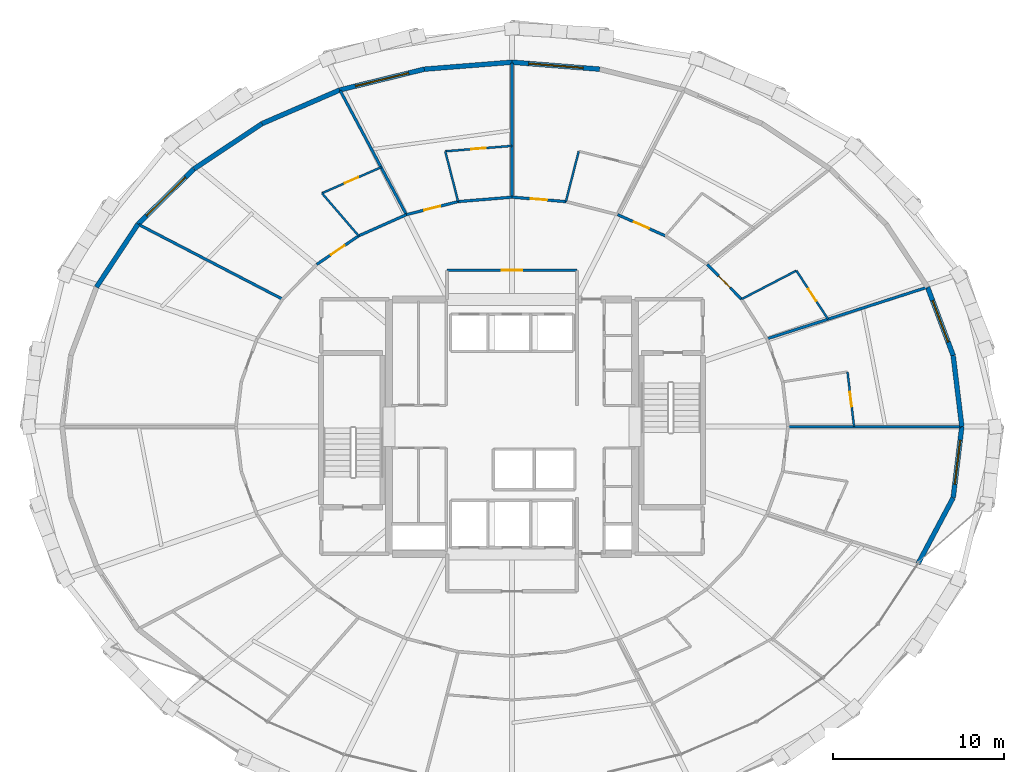
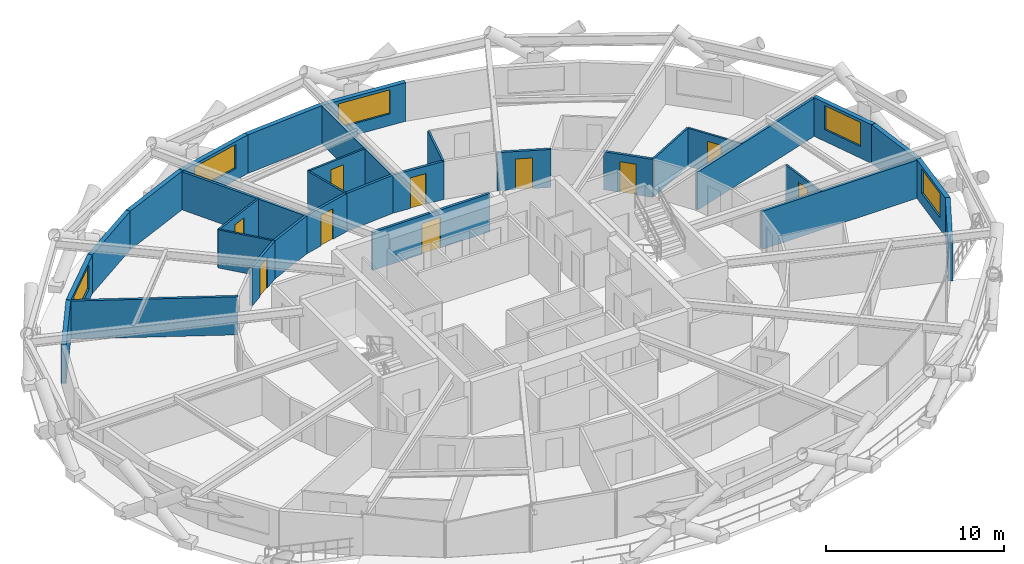
# One storey, part 17 of 20: 32 walls, 10 doors, 5 windows, 15 openings.
"""IFC4 building model written with IfcOpenShell, lengths in metres."""

from ifc_helpers import new_model, si_unit, direction, frame, frame_2d, origin, place, context, subcontext, project, spatial, rectangle, extrude, material, layer, layer_set, type_object, element, fill, save


model = new_model("IFC4")

# Units and contexts
model_context = context("Model", 3, precision=1e-05, world=origin(), true_north=direction((0.0, 1.0)))
body_context = subcontext(model_context, "Body", "Model", "MODEL_VIEW")
ifc_project = project(units=[si_unit("LENGTHUNIT", "METRE"), si_unit("AREAUNIT", "SQUARE_METRE"), si_unit("VOLUMEUNIT", "CUBIC_METRE"), si_unit("PLANEANGLEUNIT", "RADIAN"), si_unit("MASSUNIT", "GRAM", prefix="KILO")], contexts=[model_context])

# Site, building, storey
site_placement = place(None, origin())
site = spatial("IfcSite", under=ifc_project, at=site_placement, CompositionType="ELEMENT")
building_placement = place(site_placement, origin())
building = spatial("IfcBuilding", under=site, at=building_placement, Name="Veldorina Hangang Commons", CompositionType="ELEMENT")
storey_placement = place(building_placement, frame((0.0, 0.0, 48.39990234375)))
storey = spatial("IfcBuildingStorey", under=building, at=storey_placement, Name="L11", CompositionType="ELEMENT", Elevation=48.39990234375)

# Wall
ifc_material_1 = material(Name="Stone Roman Travertine", Category="masonry")
ifc_layer_1 = layer(ifc_material_1, 0.280029296875)
ifc_layer_set_1 = layer_set([ifc_layer_1], Name="Stone Roman Travertine")
wall_type_1 = type_object("IfcWallType", Name="EW-TRAV-280", PredefinedType="STANDARD", material=ifc_layer_set_1)
wall_1_placement = place(storey_placement, frame((58.337890625, 24.0, 0.0), z_axis=(0.0, 0.0, 1.0), x_axis=(-0.120687785898, 0.992690514881, 0.0)))
element("IfcWall", 1, at=wall_1_placement, inside=storey, type_object=wall_type_1, Name="L11 travertine facade wall 00", PredefinedType="STANDARD", context=body_context, shape_type="SweptSolid", body=[
    extrude(rectangle(XDim=4.193603515625, YDim=0.280029296875, at=frame_2d((2.0966796875, 0.0))), origin(), (0.0, 0.0, 1.0), 2.650146484375),
])

# Wall, opening, window
wall_2_placement = place(storey_placement, frame((57.831787109375, 28.162841796875, 0.0), z_axis=(0.0, 0.0, 1.0), x_axis=(-0.350647673381, 0.936507452802, 0.0)))
wall_2 = element("IfcWall", 2, at=wall_2_placement, inside=storey, type_object=wall_type_1, Name="L11 travertine facade wall 01", PredefinedType="STANDARD", context=body_context, shape_type="SweptSolid", body=[
    extrude(rectangle(XDim=4.2744140625, YDim=0.280029296875, at=frame_2d((2.13720703125, 0.0))), origin(), (0.0, 0.0, 1.0), 2.650146484375),
])
opening_1_placement = place(wall_2_placement, frame((0.837158203125, 0.0, 0.800048828125)))
opening_1 = element("IfcOpeningElement", 3, at=opening_1_placement, cuts=wall_2, Name="Opening W-02", PredefinedType="OPENING", context=body_context, shape_type="SweptSolid", body=[
    extrude(rectangle(XDim=2.60009765625, YDim=1.64990234375, at=frame_2d((1.300048828125, 0.824951171875))), frame((0.0, 0.14990234375, 0.0), z_axis=(0.0, -1.0, 0.0), x_axis=(1.0, 0.0, 0.0)), (0.0, 0.0, 1.0), 0.300048828125),
])
ifc_material_2 = material(Name="Glass Low-E Triple IGU", Category="glass")
window_type_1 = type_object("IfcWindowType", Name="WIN-TWR-2600", PartitioningType="SINGLE_PANEL", PredefinedType="WINDOW", material=ifc_material_2)
window_1_placement = place(opening_1_placement, origin())
window_1 = element("IfcWindow", 4, at=window_1_placement, inside=storey, type_object=window_type_1, Name="L11 facade window 01", OverallHeight=1.64990234375, OverallWidth=2.60009765625, PartitioningType="SINGLE_PANEL", PredefinedType="WINDOW", context=body_context, shape_type="SweptSolid", body=[
    extrude(rectangle(XDim=2.60009765625, YDim=1.64990234375, at=frame_2d((1.300048828125, 0.824951171875))), frame((0.0, 0.030029296875, 0.0), z_axis=(0.0, -1.0, 0.0), x_axis=(1.0, 0.0, 0.0)), (0.0, 0.0, 1.0), 0.06005859375),
])
fill(opening_1, window_1)

wall_3_placement = place(storey_placement, frame((37.13818359375, 44.927978515625, 0.0), z_axis=(0.0, 0.0, 1.0), x_axis=(-0.996832874693, 0.079524964203, 0.0)))
wall_3 = element("IfcWall", 5, at=wall_3_placement, inside=storey, type_object=wall_type_1, Name="L11 travertine facade wall 07", PredefinedType="STANDARD", context=body_context, shape_type="SweptSolid", body=[
    extrude(rectangle(XDim=5.154541015625, YDim=0.280029296875, at=frame_2d((2.5771484375, 0.0))), origin(), (0.0, 0.0, 1.0), 2.650146484375),
])
opening_2_placement = place(wall_3_placement, frame((0.977294921875, 0.0, 0.800048828125)))
opening_2 = element("IfcOpeningElement", 6, at=opening_2_placement, cuts=wall_3, Name="Opening W-01", PredefinedType="OPENING", context=body_context, shape_type="SweptSolid", body=[
    extrude(rectangle(XDim=3.199951171875, YDim=1.64990234375, at=frame_2d((1.60009765625, 0.824951171875))), frame((0.0, 0.14990234375, 0.0), z_axis=(0.0, -1.0, 0.0), x_axis=(1.0, 0.0, 0.0)), (0.0, 0.0, 1.0), 0.300048828125),
])
window_type_2 = type_object("IfcWindowType", Name="WIN-TWR-3200", PartitioningType="SINGLE_PANEL", PredefinedType="WINDOW", material=ifc_material_2)
window_2_placement = place(opening_2_placement, origin())
window_2 = element("IfcWindow", 7, at=window_2_placement, inside=storey, type_object=window_type_2, Name="L11 facade window 07", OverallHeight=1.64990234375, OverallWidth=3.199951171875, PartitioningType="SINGLE_PANEL", PredefinedType="WINDOW", context=body_context, shape_type="SweptSolid", body=[
    extrude(rectangle(XDim=3.199951171875, YDim=1.64990234375, at=frame_2d((1.60009765625, 0.824951171875))), frame((0.0, 0.030029296875, 0.0), z_axis=(0.0, -1.0, 0.0), x_axis=(1.0, 0.0, 0.0)), (0.0, 0.0, 1.0), 0.06005859375),
])
fill(opening_2, window_2)

# Wall
wall_4_placement = place(storey_placement, frame((32.0, 45.337890625, 0.0), z_axis=(0.0, 0.0, 1.0), x_axis=(-0.996832874693, -0.079524964203, 0.0)))
element("IfcWall", 8, at=wall_4_placement, inside=storey, type_object=wall_type_1, Name="L11 travertine facade wall 08", PredefinedType="STANDARD", context=body_context, shape_type="SweptSolid", body=[
    extrude(rectangle(XDim=5.154541015625, YDim=0.280029296875, at=frame_2d((2.5771484375, 0.0))), origin(), (0.0, 0.0, 1.0), 2.650146484375),
])

# Wall, opening, window
wall_5_placement = place(storey_placement, frame((26.86181640625, 44.927978515625, 0.0), z_axis=(0.0, 0.0, 1.0), x_axis=(-0.971100140987, -0.238672403462, 0.0)))
wall_5 = element("IfcWall", 9, at=wall_5_placement, inside=storey, type_object=wall_type_1, Name="L11 travertine facade wall 09", PredefinedType="STANDARD", context=body_context, shape_type="SweptSolid", body=[
    extrude(rectangle(XDim=5.087890625, YDim=0.280029296875, at=frame_2d((2.5439453125, 0.0))), origin(), (0.0, 0.0, 1.0), 2.650146484375),
])
opening_3_placement = place(wall_5_placement, frame((0.94384765625, 0.0, 0.800048828125)))
opening_3 = element("IfcOpeningElement", 10, at=opening_3_placement, cuts=wall_5, Name="Opening W-01", PredefinedType="OPENING", context=body_context, shape_type="SweptSolid", body=[
    extrude(rectangle(XDim=3.199951171875, YDim=1.64990234375, at=frame_2d((1.60009765625, 0.824951171875))), frame((0.0, 0.14990234375, 0.0), z_axis=(0.0, -1.0, 0.0), x_axis=(1.0, 0.0, 0.0)), (0.0, 0.0, 1.0), 0.300048828125),
])
window_3_placement = place(opening_3_placement, origin())
window_3 = element("IfcWindow", 11, at=window_3_placement, inside=storey, type_object=window_type_2, Name="L11 facade window 09", OverallHeight=1.64990234375, OverallWidth=3.199951171875, PartitioningType="SINGLE_PANEL", PredefinedType="WINDOW", context=body_context, shape_type="SweptSolid", body=[
    extrude(rectangle(XDim=3.199951171875, YDim=1.64990234375, at=frame_2d((1.60009765625, 0.824951171875))), frame((0.0, 0.030029296875, 0.0), z_axis=(0.0, -1.0, 0.0), x_axis=(1.0, 0.0, 0.0)), (0.0, 0.0, 1.0), 0.06005859375),
])
fill(opening_3, window_3)

# Walls
wall_6_placement = place(storey_placement, frame((21.9208984375, 43.713623046875, 0.0), z_axis=(0.0, 0.0, 1.0), x_axis=(-0.917665086661, -0.397354739149, 0.0)))
element("IfcWall", 12, at=wall_6_placement, inside=storey, type_object=wall_type_1, Name="L11 travertine facade wall 10", PredefinedType="STANDARD", context=body_context, shape_type="SweptSolid", body=[
    extrude(rectangle(XDim=4.9619140625, YDim=0.280029296875, at=frame_2d((2.48095703125, 0.0))), origin(), (0.0, 0.0, 1.0), 2.650146484375),
])
wall_7_placement = place(storey_placement, frame((17.367431640625, 41.741943359375, 0.0), z_axis=(0.0, 0.0, 1.0), x_axis=(-0.832723620408, -0.55368887655, 0.0)))
element("IfcWall", 13, at=wall_7_placement, inside=storey, type_object=wall_type_1, Name="L11 travertine facade wall 11", PredefinedType="STANDARD", context=body_context, shape_type="SweptSolid", body=[
    extrude(rectangle(XDim=4.79296875, YDim=0.280029296875, at=frame_2d((2.396484375, 0.0))), origin(), (0.0, 0.0, 1.0), 2.650146484375),
])

# Wall, opening, window
wall_8_placement = place(storey_placement, frame((13.376220703125, 39.088134765625, 0.0), z_axis=(0.0, 0.0, 1.0), x_axis=(-0.711653949878, -0.70253018129, 0.0)))
wall_8 = element("IfcWall", 14, at=wall_8_placement, inside=storey, type_object=wall_type_1, Name="L11 travertine facade wall 12", PredefinedType="STANDARD", context=body_context, shape_type="SweptSolid", body=[
    extrude(rectangle(XDim=4.6025390625, YDim=0.280029296875, at=frame_2d((2.30126953125, 0.0))), origin(), (0.0, 0.0, 1.0), 2.650146484375),
])
opening_4_placement = place(wall_8_placement, frame((0.701416015625, 0.0, 0.800048828125)))
opening_4 = element("IfcOpeningElement", 15, at=opening_4_placement, cuts=wall_8, Name="Opening W-01", PredefinedType="OPENING", context=body_context, shape_type="SweptSolid", body=[
    extrude(rectangle(XDim=3.199951171875, YDim=1.64990234375, at=frame_2d((1.60009765625, 0.824951171875))), frame((0.0, 0.14990234375, 0.0), z_axis=(0.0, -1.0, 0.0), x_axis=(1.0, 0.0, 0.0)), (0.0, 0.0, 1.0), 0.300048828125),
])
window_4_placement = place(opening_4_placement, origin())
window_4 = element("IfcWindow", 16, at=window_4_placement, inside=storey, type_object=window_type_2, Name="L11 facade window 12", OverallHeight=1.64990234375, OverallWidth=3.199951171875, PartitioningType="SINGLE_PANEL", PredefinedType="WINDOW", context=body_context, shape_type="SweptSolid", body=[
    extrude(rectangle(XDim=3.199951171875, YDim=1.64990234375, at=frame_2d((1.60009765625, 0.824951171875))), frame((0.0, 0.030029296875, 0.0), z_axis=(0.0, -1.0, 0.0), x_axis=(1.0, 0.0, 0.0)), (0.0, 0.0, 1.0), 0.06005859375),
])
fill(opening_4, window_4)

# Walls
wall_9_placement = place(storey_placement, frame((10.100830078125, 35.854736328125, 0.0), z_axis=(0.0, 0.0, 1.0), x_axis=(-0.550703673424, -0.834700823096, 0.0)))
element("IfcWall", 17, at=wall_9_placement, inside=storey, type_object=wall_type_1, Name="L11 travertine facade wall 13", PredefinedType="STANDARD", context=body_context, shape_type="SweptSolid", body=[
    extrude(rectangle(XDim=4.41943359375, YDim=0.280029296875, at=frame_2d((2.209716796875, 0.0))), origin(), (0.0, 0.0, 1.0), 2.650146484375),
])
wall_10_placement = place(storey_placement, frame((55.772705078125, 15.96728515625, 0.0), z_axis=(0.0, 0.0, 1.0), x_axis=(0.469726578594, 0.882811951303, 0.0)))
element("IfcWall", 18, at=wall_10_placement, inside=storey, type_object=wall_type_1, Name="L11 travertine facade wall 30", PredefinedType="STANDARD", context=body_context, shape_type="SweptSolid", body=[
    extrude(rectangle(XDim=4.383544921875, YDim=0.280029296875, at=frame_2d((2.19189453125, 0.0))), origin(), (0.0, 0.0, 1.0), 2.650146484375),
])

# Wall, opening, window
wall_11_placement = place(storey_placement, frame((57.831787109375, 19.837158203125, 0.0), z_axis=(0.0, 0.0, 1.0), x_axis=(0.120687785898, 0.992690514881, 0.0)))
wall_11 = element("IfcWall", 19, at=wall_11_placement, inside=storey, type_object=wall_type_1, Name="L11 travertine facade wall 31", PredefinedType="STANDARD", context=body_context, shape_type="SweptSolid", body=[
    extrude(rectangle(XDim=4.193603515625, YDim=0.280029296875, at=frame_2d((2.0966796875, 0.0))), origin(), (0.0, 0.0, 1.0), 2.650146484375),
])
opening_5_placement = place(wall_11_placement, frame((0.796630859375, 0.0, 0.800048828125)))
opening_5 = element("IfcOpeningElement", 20, at=opening_5_placement, cuts=wall_11, Name="Opening W-02", PredefinedType="OPENING", context=body_context, shape_type="SweptSolid", body=[
    extrude(rectangle(XDim=2.60009765625, YDim=1.64990234375, at=frame_2d((1.300048828125, 0.824951171875))), frame((0.0, 0.14990234375, 0.0), z_axis=(0.0, -1.0, 0.0), x_axis=(1.0, 0.0, 0.0)), (0.0, 0.0, 1.0), 0.300048828125),
])
window_5_placement = place(opening_5_placement, origin())
window_5 = element("IfcWindow", 21, at=window_5_placement, inside=storey, type_object=window_type_1, Name="L11 facade window 31", OverallHeight=1.64990234375, OverallWidth=2.60009765625, PartitioningType="SINGLE_PANEL", PredefinedType="WINDOW", context=body_context, shape_type="SweptSolid", body=[
    extrude(rectangle(XDim=2.60009765625, YDim=1.64990234375, at=frame_2d((1.300048828125, 0.824951171875))), frame((0.0, 0.030029296875, 0.0), z_axis=(0.0, -1.0, 0.0), x_axis=(1.0, 0.0, 0.0)), (0.0, 0.0, 1.0), 0.06005859375),
])
fill(opening_5, window_5)

# Wall, opening, door
ifc_material_3 = material(Name="Gypsum Fire-Rated Twin Stud Wall", Category="gypsum")
ifc_layer_2 = layer(ifc_material_3, 0.159912109375)
ifc_layer_set_2 = layer_set([ifc_layer_2], Name="Gypsum Fire-Rated Twin Stud Wall")
wall_type_2 = type_object("IfcWallType", Name="WL-FIRE-160", PredefinedType="SOLIDWALL", material=ifc_layer_set_2)
wall_12_placement = place(storey_placement, frame((28.199951171875, 33.14990234375, 0.0), z_axis=(0.0, 0.0, 1.0), x_axis=(1.0, 0.0, 0.0)))
wall_12 = element("IfcWall", 22, at=wall_12_placement, inside=storey, type_object=wall_type_2, Name="L11 North lobby north wall 034", PredefinedType="SOLIDWALL", context=body_context, shape_type="SweptSolid", body=[
    extrude(rectangle(XDim=7.60009765625, YDim=0.159912109375, at=frame_2d((3.800048828125, 0.0))), origin(), (0.0, 0.0, 1.0), 2.610107421875),
])
opening_6_placement = place(wall_12_placement, frame((3.199951171875, 0.0, 0.0)))
opening_6 = element("IfcOpeningElement", 23, at=opening_6_placement, cuts=wall_12, Name="Opening D-09", PredefinedType="OPENING", context=body_context, shape_type="SweptSolid", body=[
    extrude(rectangle(XDim=1.199951171875, YDim=2.10009765625, at=frame_2d((0.60009765625, 1.050048828125))), frame((0.0, 0.08984375, 0.0), z_axis=(0.0, -1.0, 0.0), x_axis=(1.0, 0.0, 0.0)), (0.0, 0.0, 1.0), 0.179931640625),
])
ifc_material_4 = material(Name="Steel Fire-Rated Corridor Door", Category="steel")
door_type_1 = type_object("IfcDoorType", Name="DR-FIRE-1200", OperationType="SINGLE_SWING_LEFT", PredefinedType="DOOR", material=ifc_material_4)
door_1_placement = place(opening_6_placement, origin())
door_1 = element("IfcDoor", 24, at=door_1_placement, inside=storey, type_object=door_type_1, Name="L11 North lift lobby corridor door 012", OperationType="SINGLE_SWING_RIGHT", OverallHeight=2.10009765625, OverallWidth=1.199951171875, PredefinedType="DOOR", context=body_context, shape_type="SweptSolid", body=[
    extrude(rectangle(XDim=1.199951171875, YDim=2.10009765625, at=frame_2d((0.60009765625, 1.050048828125))), frame((0.0, 0.02490234375, 0.0), z_axis=(0.0, -1.0, 0.0), x_axis=(1.0, 0.0, 0.0)), (0.0, 0.0, 1.0), 0.050048828125),
])
fill(opening_6, door_1)

wall_13_placement = place(storey_placement, frame((45.438232421875, 31.46337890625, 0.0), z_axis=(0.0, 0.0, 1.0), x_axis=(-0.702569520063, 0.711615113301, 0.0)))
wall_13 = element("IfcWall", 25, at=wall_13_placement, inside=storey, type_object=wall_type_2, Name="L11 Corridor outer wall 03 053", PredefinedType="SOLIDWALL", context=body_context, shape_type="SweptSolid", body=[
    extrude(rectangle(XDim=2.86083984375, YDim=0.159912109375, at=frame_2d((1.430419921875, 0.0))), origin(), (0.0, 0.0, 1.0), 2.610107421875),
])
opening_7_placement = place(wall_13_placement, frame((0.955322265625, 0.0, 0.0)))
opening_7 = element("IfcOpeningElement", 26, at=opening_7_placement, cuts=wall_13, Name="Opening D-03", PredefinedType="OPENING", context=body_context, shape_type="SweptSolid", body=[
    extrude(rectangle(XDim=0.949951171875, YDim=2.10009765625, at=frame_2d((0.47509765625, 1.050048828125))), frame((0.0, 0.08984375, 0.0), z_axis=(0.0, -1.0, 0.0), x_axis=(1.0, 0.0, 0.0)), (0.0, 0.0, 1.0), 0.179931640625),
])
ifc_material_5 = material(Name="Timber Fire-Rated Entrance Core", Category="wood")
door_type_2 = type_object("IfcDoorType", Name="DR-UNIT-950", OperationType="SINGLE_SWING_RIGHT", PredefinedType="DOOR", material=ifc_material_5)
door_2_placement = place(opening_7_placement, origin())
door_2 = element("IfcDoor", 27, at=door_2_placement, inside=storey, type_object=door_type_2, Name="L11 Studio 5 entrance door 033", OperationType="SINGLE_SWING_LEFT", OverallHeight=2.10009765625, OverallWidth=0.949951171875, PredefinedType="DOOR", context=body_context, shape_type="SweptSolid", body=[
    extrude(rectangle(XDim=0.949951171875, YDim=2.10009765625, at=frame_2d((0.47509765625, 1.050048828125))), frame((0.0, 0.02490234375, 0.0), z_axis=(0.0, -1.0, 0.0), x_axis=(1.0, 0.0, 0.0)), (0.0, 0.0, 1.0), 0.050048828125),
])
fill(opening_7, door_2)

wall_14_placement = place(storey_placement, frame((40.97900390625, 35.169921875, 0.0), z_axis=(0.0, 0.0, 1.0), x_axis=(-0.913860932409, 0.406027334321, 0.0)))
wall_14 = element("IfcWall", 28, at=wall_14_placement, inside=storey, type_object=wall_type_2, Name="L11 Corridor outer wall 05 055", PredefinedType="SOLIDWALL", context=body_context, shape_type="SweptSolid", body=[
    extrude(rectangle(XDim=3.0576171875, YDim=0.159912109375, at=frame_2d((1.52880859375, 0.0))), origin(), (0.0, 0.0, 1.0), 2.610107421875),
])
opening_8_placement = place(wall_14_placement, frame((1.0537109375, 0.0, 0.0)))
opening_8 = element("IfcOpeningElement", 29, at=opening_8_placement, cuts=wall_14, Name="Opening D-03", PredefinedType="OPENING", context=body_context, shape_type="SweptSolid", body=[
    extrude(rectangle(XDim=0.949951171875, YDim=2.10009765625, at=frame_2d((0.47509765625, 1.050048828125))), frame((0.0, 0.08984375, 0.0), z_axis=(0.0, -1.0, 0.0), x_axis=(1.0, 0.0, 0.0)), (0.0, 0.0, 1.0), 0.179931640625),
])
door_3_placement = place(opening_8_placement, origin())
door_3 = element("IfcDoor", 30, at=door_3_placement, inside=storey, type_object=door_type_2, Name="L11 Studio 6 entrance door 035", OperationType="SINGLE_SWING_LEFT", OverallHeight=2.10009765625, OverallWidth=0.949951171875, PredefinedType="DOOR", context=body_context, shape_type="SweptSolid", body=[
    extrude(rectangle(XDim=0.949951171875, YDim=2.10009765625, at=frame_2d((0.47509765625, 1.050048828125))), frame((0.0, 0.02490234375, 0.0), z_axis=(0.0, -1.0, 0.0), x_axis=(1.0, 0.0, 0.0)), (0.0, 0.0, 1.0), 0.050048828125),
])
fill(opening_8, door_3)

wall_15_placement = place(storey_placement, frame((35.153076171875, 37.17578125, 0.0), z_axis=(0.0, 0.0, 1.0), x_axis=(-0.996661331307, 0.081646743207, 0.0)))
wall_15 = element("IfcWall", 31, at=wall_15_placement, inside=storey, type_object=wall_type_2, Name="L11 Corridor outer wall 07 057", PredefinedType="SOLIDWALL", context=body_context, shape_type="SweptSolid", body=[
    extrude(rectangle(XDim=3.16357421875, YDim=0.159912109375, at=frame_2d((1.581787109375, 0.0))), origin(), (0.0, 0.0, 1.0), 2.610107421875),
])
opening_9_placement = place(wall_15_placement, frame((1.106689453125, 0.0, 0.0)))
opening_9 = element("IfcOpeningElement", 32, at=opening_9_placement, cuts=wall_15, Name="Opening D-03", PredefinedType="OPENING", context=body_context, shape_type="SweptSolid", body=[
    extrude(rectangle(XDim=0.949951171875, YDim=2.10009765625, at=frame_2d((0.47509765625, 1.050048828125))), frame((0.0, 0.08984375, 0.0), z_axis=(0.0, -1.0, 0.0), x_axis=(1.0, 0.0, 0.0)), (0.0, 0.0, 1.0), 0.179931640625),
])
door_4_placement = place(opening_9_placement, origin())
door_4 = element("IfcDoor", 33, at=door_4_placement, inside=storey, type_object=door_type_2, Name="L11 Studio 7 entrance door 037", OperationType="SINGLE_SWING_LEFT", OverallHeight=2.10009765625, OverallWidth=0.949951171875, PredefinedType="DOOR", context=body_context, shape_type="SweptSolid", body=[
    extrude(rectangle(XDim=0.949951171875, YDim=2.10009765625, at=frame_2d((0.47509765625, 1.050048828125))), frame((0.0, 0.02490234375, 0.0), z_axis=(0.0, -1.0, 0.0), x_axis=(1.0, 0.0, 0.0)), (0.0, 0.0, 1.0), 0.050048828125),
])
fill(opening_9, door_4)

# Wall
wall_16_placement = place(storey_placement, frame((32.0, 37.43408203125, 0.0), z_axis=(0.0, 0.0, 1.0), x_axis=(-0.996661331307, -0.081646743207, 0.0)))
element("IfcWall", 34, at=wall_16_placement, inside=storey, type_object=wall_type_2, Name="L11 Corridor outer wall 08 058", PredefinedType="SOLIDWALL", context=body_context, shape_type="SweptSolid", body=[
    extrude(rectangle(XDim=3.16357421875, YDim=0.159912109375, at=frame_2d((1.581787109375, 0.0))), origin(), (0.0, 0.0, 1.0), 2.610107421875),
])

# Wall, opening, door
wall_17_placement = place(storey_placement, frame((28.846923828125, 37.17578125, 0.0), z_axis=(0.0, 0.0, 1.0), x_axis=(-0.969653665365, -0.244482656326, 0.0)))
wall_17 = element("IfcWall", 35, at=wall_17_placement, inside=storey, type_object=wall_type_2, Name="L11 Corridor outer wall 09 059", PredefinedType="SOLIDWALL", context=body_context, shape_type="SweptSolid", body=[
    extrude(rectangle(XDim=3.126708984375, YDim=0.159912109375, at=frame_2d((1.5634765625, 0.0))), origin(), (0.0, 0.0, 1.0), 2.610107421875),
])
opening_10_placement = place(wall_17_placement, frame((1.08837890625, 0.0, 0.0)))
opening_10 = element("IfcOpeningElement", 36, at=opening_10_placement, cuts=wall_17, Name="Opening D-03", PredefinedType="OPENING", context=body_context, shape_type="SweptSolid", body=[
    extrude(rectangle(XDim=0.949951171875, YDim=2.10009765625, at=frame_2d((0.47509765625, 1.050048828125))), frame((0.0, 0.08984375, 0.0), z_axis=(0.0, -1.0, 0.0), x_axis=(1.0, 0.0, 0.0)), (0.0, 0.0, 1.0), 0.179931640625),
])
door_5_placement = place(opening_10_placement, origin())
door_5 = element("IfcDoor", 37, at=door_5_placement, inside=storey, type_object=door_type_2, Name="L11 Studio 8 entrance door 039", OperationType="SINGLE_SWING_LEFT", OverallHeight=2.10009765625, OverallWidth=0.949951171875, PredefinedType="DOOR", context=body_context, shape_type="SweptSolid", body=[
    extrude(rectangle(XDim=0.949951171875, YDim=2.10009765625, at=frame_2d((0.47509765625, 1.050048828125))), frame((0.0, 0.02490234375, 0.0), z_axis=(0.0, -1.0, 0.0), x_axis=(1.0, 0.0, 0.0)), (0.0, 0.0, 1.0), 0.050048828125),
])
fill(opening_10, door_5)

# Wall
wall_18_placement = place(storey_placement, frame((25.815185546875, 36.411376953125, 0.0), z_axis=(0.0, 0.0, 1.0), x_axis=(-0.913860932409, -0.406027334321, 0.0)))
element("IfcWall", 38, at=wall_18_placement, inside=storey, type_object=wall_type_2, Name="L11 Corridor outer wall 10 060", PredefinedType="SOLIDWALL", context=body_context, shape_type="SweptSolid", body=[
    extrude(rectangle(XDim=3.0576171875, YDim=0.159912109375, at=frame_2d((1.52880859375, 0.0))), origin(), (0.0, 0.0, 1.0), 2.610107421875),
])

# Wall, opening, door
wall_19_placement = place(storey_placement, frame((23.02099609375, 35.169921875, 0.0), z_axis=(0.0, 0.0, 1.0), x_axis=(-0.826112340767, -0.563505457323, 0.0)))
wall_19 = element("IfcWall", 39, at=wall_19_placement, inside=storey, type_object=wall_type_2, Name="L11 Corridor outer wall 11 061", PredefinedType="SOLIDWALL", context=body_context, shape_type="SweptSolid", body=[
    extrude(rectangle(XDim=2.96484375, YDim=0.159912109375, at=frame_2d((1.482421875, 0.0))), origin(), (0.0, 0.0, 1.0), 2.610107421875),
])
opening_11_placement = place(wall_19_placement, frame((1.00732421875, 0.0, 0.0)))
opening_11 = element("IfcOpeningElement", 40, at=opening_11_placement, cuts=wall_19, Name="Opening D-03", PredefinedType="OPENING", context=body_context, shape_type="SweptSolid", body=[
    extrude(rectangle(XDim=0.949951171875, YDim=2.10009765625, at=frame_2d((0.47509765625, 1.050048828125))), frame((0.0, 0.08984375, 0.0), z_axis=(0.0, -1.0, 0.0), x_axis=(1.0, 0.0, 0.0)), (0.0, 0.0, 1.0), 0.179931640625),
])
door_6_placement = place(opening_11_placement, origin())
door_6 = element("IfcDoor", 41, at=door_6_placement, inside=storey, type_object=door_type_2, Name="L11 Studio 9 entrance door 041", OperationType="SINGLE_SWING_LEFT", OverallHeight=2.10009765625, OverallWidth=0.949951171875, PredefinedType="DOOR", context=body_context, shape_type="SweptSolid", body=[
    extrude(rectangle(XDim=0.949951171875, YDim=2.10009765625, at=frame_2d((0.47509765625, 1.050048828125))), frame((0.0, 0.02490234375, 0.0), z_axis=(0.0, -1.0, 0.0), x_axis=(1.0, 0.0, 0.0)), (0.0, 0.0, 1.0), 0.050048828125),
])
fill(opening_11, door_6)

# Walls
wall_20_placement = place(storey_placement, frame((48.162109375, 24.0, 0.0), z_axis=(0.0, 0.0, 1.0), x_axis=(1.0, 0.0, 0.0)))
element("IfcWall", 42, at=wall_20_placement, inside=storey, type_object=wall_type_2, Name="L11 Unit party wall 00 095", PredefinedType="SOLIDWALL", context=body_context, shape_type="SweptSolid", body=[
    extrude(rectangle(XDim=10.1259765625, YDim=0.159912109375, at=frame_2d((5.06298828125, 0.0))), origin(), (0.0, 0.0, 1.0), 2.610107421875),
])
wall_21_placement = place(storey_placement, frame((46.931640625, 29.14111328125, 0.0), z_axis=(0.0, 0.0, 1.0), x_axis=(0.951948128821, 0.306259301956, 0.0)))
element("IfcWall", 43, at=wall_21_placement, inside=storey, type_object=wall_type_2, Name="L11 Unit party wall 02 098", PredefinedType="SOLIDWALL", context=body_context, shape_type="SweptSolid", body=[
    extrude(rectangle(XDim=9.825927734375, YDim=0.159912109375, at=frame_2d((4.9130859375, 0.0))), origin(), (0.0, 0.0, 1.0), 2.610107421875),
])
wall_22_placement = place(storey_placement, frame((32.0, 37.43408203125, 0.0), z_axis=(0.0, 0.0, 1.0), x_axis=(0.0, 1.0, 0.0)))
element("IfcWall", 44, at=wall_22_placement, inside=storey, type_object=wall_type_2, Name="L11 Unit party wall 08 107", PredefinedType="SOLIDWALL", context=body_context, shape_type="SweptSolid", body=[
    extrude(rectangle(XDim=7.85400390625, YDim=0.159912109375, at=frame_2d((3.927001953125, 0.0))), origin(), (0.0, 0.0, 1.0), 2.610107421875),
])
wall_23_placement = place(storey_placement, frame((25.815185546875, 36.411376953125, 0.0), z_axis=(0.0, 0.0, 1.0), x_axis=(-0.47056512842, 0.882365264454, 0.0)))
element("IfcWall", 45, at=wall_23_placement, inside=storey, type_object=wall_type_2, Name="L11 Unit party wall 10 110", PredefinedType="SOLIDWALL", context=body_context, shape_type="SweptSolid", body=[
    extrude(rectangle(XDim=8.22607421875, YDim=0.159912109375, at=frame_2d((4.113037109375, 0.0))), origin(), (0.0, 0.0, 1.0), 2.610107421875),
])
wall_24_placement = place(storey_placement, frame((18.561767578125, 31.46337890625, 0.0), z_axis=(0.0, 0.0, 1.0), x_axis=(-0.887569366449, 0.460674092762, 0.0)))
element("IfcWall", 46, at=wall_24_placement, inside=storey, type_object=wall_type_2, Name="L11 Unit party wall 13 113", PredefinedType="SOLIDWALL", context=body_context, shape_type="SweptSolid", body=[
    extrude(rectangle(XDim=9.482666015625, YDim=0.159912109375, at=frame_2d((4.7412109375, 0.0))), origin(), (0.0, 0.0, 1.0), 2.610107421875),
])

# Wall, opening, door
ifc_material_6 = material(Name="Gypsum Acoustic Stud Partition", Category="gypsum")
ifc_layer_3 = layer(ifc_material_6, 0.1201171875)
ifc_layer_set_3 = layer_set([ifc_layer_3], Name="Gypsum Acoustic Stud Partition")
wall_type_3 = type_object("IfcWallType", Name="WL-PART-120", PredefinedType="PARTITIONING", material=ifc_layer_set_3)
wall_25_placement = place(storey_placement, frame((52.02880859375, 24.0, 0.0), z_axis=(0.0, 0.0, 1.0), x_axis=(-0.119130317154, 0.992878626789, 0.0)))
wall_25 = element("IfcWall", 47, at=wall_25_placement, inside=storey, type_object=wall_type_3, Name="L11 Studio 4 bath front wall 096", PredefinedType="PARTITIONING", context=body_context, shape_type="SweptSolid", body=[
    extrude(rectangle(XDim=3.229736328125, YDim=0.1201171875, at=frame_2d((1.61474609375, 0.0))), origin(), (0.0, 0.0, 1.0), 2.610107421875),
])
opening_12_placement = place(wall_25_placement, frame((1.184814453125, 0.0, 0.0)))
opening_12 = element("IfcOpeningElement", 48, at=opening_12_placement, cuts=wall_25, Name="Opening D-01", PredefinedType="OPENING", context=body_context, shape_type="SweptSolid", body=[
    extrude(rectangle(XDim=0.860107421875, YDim=2.10009765625, at=frame_2d((0.43017578125, 1.050048828125))), frame((0.0, 0.070068359375, 0.0), z_axis=(0.0, -1.0, 0.0), x_axis=(1.0, 0.0, 0.0)), (0.0, 0.0, 1.0), 0.14013671875),
])
ifc_material_7 = material(Name="Timber Moisture-Resistant Core", Category="wood")
door_type_3 = type_object("IfcDoorType", Name="DR-WET-860", OperationType="SINGLE_SWING_LEFT", PredefinedType="DOOR", material=ifc_material_7)
door_7_placement = place(opening_12_placement, origin())
door_7 = element("IfcDoor", 49, at=door_7_placement, inside=storey, type_object=door_type_3, Name="L11 Studio 4 bathroom door 030", OperationType="SINGLE_SWING_RIGHT", OverallHeight=2.10009765625, OverallWidth=0.860107421875, PredefinedType="DOOR", context=body_context, shape_type="SweptSolid", body=[
    extrude(rectangle(XDim=0.860107421875, YDim=2.10009765625, at=frame_2d((0.43017578125, 1.050048828125))), frame((0.0, 0.02490234375, 0.0), z_axis=(0.0, -1.0, 0.0), x_axis=(1.0, 0.0, 0.0)), (0.0, 0.0, 1.0), 0.050048828125),
])
fill(opening_12, door_7)

wall_26_placement = place(storey_placement, frame((50.504150390625, 30.290283203125, 0.0), z_axis=(0.0, 0.0, 1.0), x_axis=(-0.54574723604, 0.837949851933, 0.0)))
wall_26 = element("IfcWall", 50, at=wall_26_placement, inside=storey, type_object=wall_type_3, Name="L11 Studio 5 bath front wall 099", PredefinedType="PARTITIONING", context=body_context, shape_type="SweptSolid", body=[
    extrude(rectangle(XDim=3.391357421875, YDim=0.1201171875, at=frame_2d((1.69580078125, 0.0))), origin(), (0.0, 0.0, 1.0), 2.610107421875),
])
opening_13_placement = place(wall_26_placement, frame((1.265625, 0.0, 0.0)))
opening_13 = element("IfcOpeningElement", 51, at=opening_13_placement, cuts=wall_26, Name="Opening D-01", PredefinedType="OPENING", context=body_context, shape_type="SweptSolid", body=[
    extrude(rectangle(XDim=0.860107421875, YDim=2.10009765625, at=frame_2d((0.43017578125, 1.050048828125))), frame((0.0, 0.070068359375, 0.0), z_axis=(0.0, -1.0, 0.0), x_axis=(1.0, 0.0, 0.0)), (0.0, 0.0, 1.0), 0.14013671875),
])
door_8_placement = place(opening_13_placement, origin())
door_8 = element("IfcDoor", 52, at=door_8_placement, inside=storey, type_object=door_type_3, Name="L11 Studio 5 bathroom door 032", OperationType="SINGLE_SWING_RIGHT", OverallHeight=2.10009765625, OverallWidth=0.860107421875, PredefinedType="DOOR", context=body_context, shape_type="SweptSolid", body=[
    extrude(rectangle(XDim=0.860107421875, YDim=2.10009765625, at=frame_2d((0.43017578125, 1.050048828125))), frame((0.0, 0.02490234375, 0.0), z_axis=(0.0, -1.0, 0.0), x_axis=(1.0, 0.0, 0.0)), (0.0, 0.0, 1.0), 0.050048828125),
])
fill(opening_13, door_8)

# Walls
wall_27_placement = place(storey_placement, frame((45.438232421875, 31.46337890625, 0.0), z_axis=(0.0, 0.0, 1.0), x_axis=(0.887571866108, 0.460669276699, 0.0)))
element("IfcWall", 53, at=wall_27_placement, inside=storey, type_object=wall_type_3, Name="L11 Studio 5 bath side wall 100", PredefinedType="PARTITIONING", context=body_context, shape_type="SweptSolid", body=[
    extrude(rectangle(XDim=3.622314453125, YDim=0.1201171875, at=frame_2d((1.81103515625, 0.0))), origin(), (0.0, 0.0, 1.0), 2.610107421875),
])
wall_28_placement = place(storey_placement, frame((35.153076171875, 37.17578125, 0.0), z_axis=(0.0, 0.0, 1.0), x_axis=(0.248085594178, 0.968738116294, 0.0)))
element("IfcWall", 54, at=wall_28_placement, inside=storey, type_object=wall_type_3, Name="L11 Studio 7 bath side wall 106", PredefinedType="PARTITIONING", context=body_context, shape_type="SweptSolid", body=[
    extrude(rectangle(XDim=3.040771484375, YDim=0.1201171875, at=frame_2d((1.5205078125, 0.0))), origin(), (0.0, 0.0, 1.0), 2.610107421875),
])

# Wall, opening, door
wall_29_placement = place(storey_placement, frame((32.0, 40.4375, 0.0), z_axis=(0.0, 0.0, 1.0), x_axis=(-0.996747596501, -0.080586778499, 0.0)))
wall_29 = element("IfcWall", 55, at=wall_29_placement, inside=storey, type_object=wall_type_3, Name="L11 Studio 8 bath front wall 108", PredefinedType="PARTITIONING", context=body_context, shape_type="SweptSolid", body=[
    extrude(rectangle(XDim=3.920166015625, YDim=0.1201171875, at=frame_2d((1.9599609375, 0.0))), origin(), (0.0, 0.0, 1.0), 2.610107421875),
])
opening_14_placement = place(wall_29_placement, frame((1.530029296875, 0.0, 0.0)))
opening_14 = element("IfcOpeningElement", 56, at=opening_14_placement, cuts=wall_29, Name="Opening D-01", PredefinedType="OPENING", context=body_context, shape_type="SweptSolid", body=[
    extrude(rectangle(XDim=0.860107421875, YDim=2.10009765625, at=frame_2d((0.43017578125, 1.050048828125))), frame((0.0, 0.070068359375, 0.0), z_axis=(0.0, -1.0, 0.0), x_axis=(1.0, 0.0, 0.0)), (0.0, 0.0, 1.0), 0.14013671875),
])
door_9_placement = place(opening_14_placement, origin())
door_9 = element("IfcDoor", 57, at=door_9_placement, inside=storey, type_object=door_type_3, Name="L11 Studio 8 bathroom door 038", OperationType="SINGLE_SWING_RIGHT", OverallHeight=2.10009765625, OverallWidth=0.860107421875, PredefinedType="DOOR", context=body_context, shape_type="SweptSolid", body=[
    extrude(rectangle(XDim=0.860107421875, YDim=2.10009765625, at=frame_2d((0.43017578125, 1.050048828125))), frame((0.0, 0.02490234375, 0.0), z_axis=(0.0, -1.0, 0.0), x_axis=(1.0, 0.0, 0.0)), (0.0, 0.0, 1.0), 0.050048828125),
])
fill(opening_14, door_9)

# Wall
wall_30_placement = place(storey_placement, frame((28.846923828125, 37.17578125, 0.0), z_axis=(0.0, 0.0, 1.0), x_axis=(-0.248085594178, 0.968738116294, 0.0)))
element("IfcWall", 58, at=wall_30_placement, inside=storey, type_object=wall_type_3, Name="L11 Studio 8 bath side wall 109", PredefinedType="PARTITIONING", context=body_context, shape_type="SweptSolid", body=[
    extrude(rectangle(XDim=3.040771484375, YDim=0.1201171875, at=frame_2d((1.5205078125, 0.0))), origin(), (0.0, 0.0, 1.0), 2.610107421875),
])

# Wall, opening, door
wall_31_placement = place(storey_placement, frame((24.335205078125, 39.186279296875, 0.0), z_axis=(0.0, 0.0, 1.0), x_axis=(-0.915755288827, -0.401736544249, 0.0)))
wall_31 = element("IfcWall", 59, at=wall_31_placement, inside=storey, type_object=wall_type_3, Name="L11 Studio 9 bath front wall 111", PredefinedType="PARTITIONING", context=body_context, shape_type="SweptSolid", body=[
    extrude(rectangle(XDim=3.78125, YDim=0.1201171875, at=frame_2d((1.890625, 0.0))), origin(), (0.0, 0.0, 1.0), 2.610107421875),
])
opening_15_placement = place(wall_31_placement, frame((1.460693359375, 0.0, 0.0)))
opening_15 = element("IfcOpeningElement", 60, at=opening_15_placement, cuts=wall_31, Name="Opening D-01", PredefinedType="OPENING", context=body_context, shape_type="SweptSolid", body=[
    extrude(rectangle(XDim=0.860107421875, YDim=2.10009765625, at=frame_2d((0.43017578125, 1.050048828125))), frame((0.0, 0.070068359375, 0.0), z_axis=(0.0, -1.0, 0.0), x_axis=(1.0, 0.0, 0.0)), (0.0, 0.0, 1.0), 0.14013671875),
])
door_10_placement = place(opening_15_placement, origin())
door_10 = element("IfcDoor", 61, at=door_10_placement, inside=storey, type_object=door_type_3, Name="L11 Studio 9 bathroom door 040", OperationType="SINGLE_SWING_RIGHT", OverallHeight=2.10009765625, OverallWidth=0.860107421875, PredefinedType="DOOR", context=body_context, shape_type="SweptSolid", body=[
    extrude(rectangle(XDim=0.860107421875, YDim=2.10009765625, at=frame_2d((0.43017578125, 1.050048828125))), frame((0.0, 0.02490234375, 0.0), z_axis=(0.0, -1.0, 0.0), x_axis=(1.0, 0.0, 0.0)), (0.0, 0.0, 1.0), 0.050048828125),
])
fill(opening_15, door_10)

# Wall
wall_32_placement = place(storey_placement, frame((23.02099609375, 35.169921875, 0.0), z_axis=(0.0, 0.0, 1.0), x_axis=(-0.652169620861, 0.758073074067, 0.0)))
element("IfcWall", 62, at=wall_32_placement, inside=storey, type_object=wall_type_3, Name="L11 Studio 9 bath side wall 112", PredefinedType="PARTITIONING", context=body_context, shape_type="SweptSolid", body=[
    extrude(rectangle(XDim=3.294189453125, YDim=0.1201171875, at=frame_2d((1.64697265625, 0.0))), origin(), (0.0, 0.0, 1.0), 2.610107421875),
])

save(model, "model.ifc")
